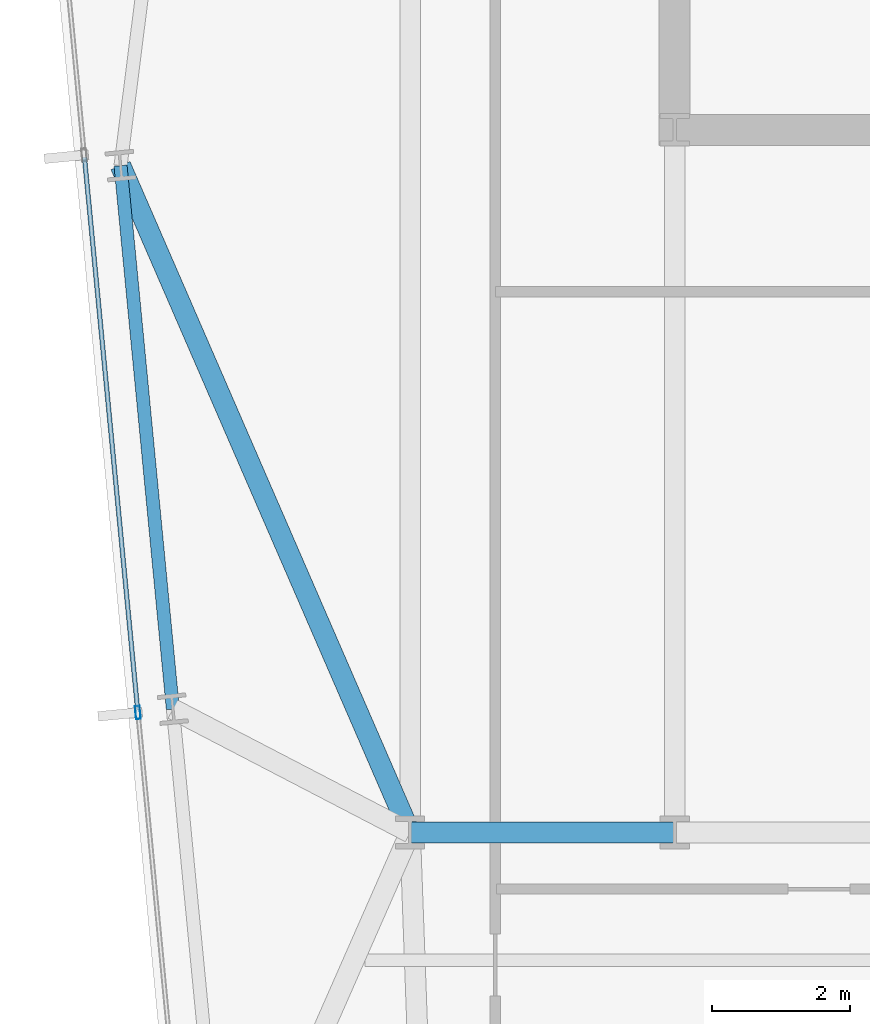
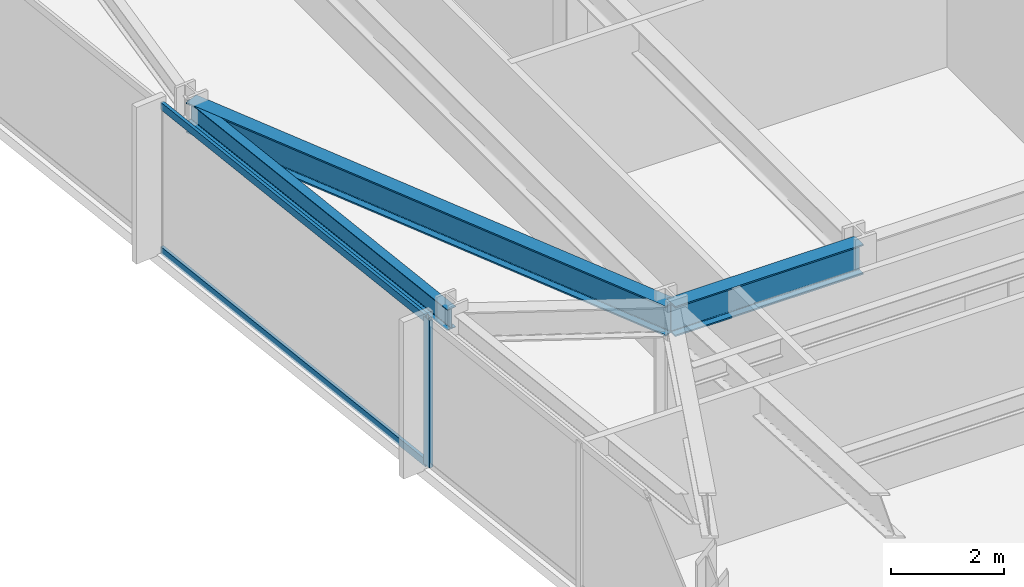
# One storey, part 6 of 32: 3 beams, 3 members, 1 element without a shape of its own.
"""IFC4 building model written with IfcOpenShell, lengths in metres."""

from ifc_helpers import new_model, si_unit, direction, frame, origin, origin_2d, place, context, subcontext, project, spatial, hollow_rectangle, i_section, extrude, material, material_profile, profile_set, type_object, element, aggregate, save


model = new_model("IFC4")

# Units and contexts
model_context = context("Model", 3, precision=1e-05, world=origin(), true_north=direction((0.0, 1.0)))
body_context = subcontext(model_context, "Body", "Model", "MODEL_VIEW")
ifc_project = project(units=[si_unit("LENGTHUNIT", "METRE"), si_unit("AREAUNIT", "SQUARE_METRE"), si_unit("VOLUMEUNIT", "CUBIC_METRE"), si_unit("PLANEANGLEUNIT", "RADIAN"), si_unit("MASSUNIT", "GRAM", prefix="KILO")], contexts=[model_context])

# Site, building, storey
site_placement = place(None, origin())
site = spatial("IfcSite", under=ifc_project, at=site_placement, CompositionType="ELEMENT")
building_placement = place(site_placement, origin())
building = spatial("IfcBuilding", under=site, at=building_placement, Name="Yelkora Congress Tower", CompositionType="ELEMENT")
storey_placement = place(building_placement, frame((0.0, 0.0, 103.300048828125)))
storey = spatial("IfcBuildingStorey", under=building, at=storey_placement, Name="L27", CompositionType="ELEMENT", Elevation=103.300048828125)

# Beams
ifc_material_1 = material(Name="Steel S355J2", Category="steel")
ifc_material_profile_1 = material_profile(ifc_material_1, i_section(OverallWidth=0.300048828125, OverallDepth=0.64990234375, WebThickness=0.01611328125, FlangeThickness=0.031005859375, FilletRadius=0.027099609375, at=origin_2d()), Name="HEB 650")
ifc_profile_set_1 = profile_set([ifc_material_profile_1], Name="Steel S355J2")
beam_type_1 = type_object("IfcBeamType", Name="BM-GIRD-HEB650", PredefinedType="BEAM", material=ifc_profile_set_1)
beam_1_placement = place(storey_placement, frame((19.199951171875, 25.199951171875, 2.85498046875), z_axis=(1.0, 0.0, 0.0), x_axis=(0.0, 1.0, 0.0)))
element("IfcBeam", 1, at=beam_1_placement, inside=storey, type_object=beam_type_1, Name="L27 Spine Grid D Girder 1", PredefinedType="BEAM", context=body_context, shape_type="SweptSolid", body=[
    extrude(i_section(OverallWidth=0.300048828125, OverallDepth=0.64990234375, WebThickness=0.01611328125, FlangeThickness=0.031005859375, FilletRadius=0.027099609375, at=origin_2d()), origin(), (0.0, 0.0, 1.0), 3.840087890625),
])
beam_2_placement = place(storey_placement, frame((14.997314453125, 34.87890625, 2.85498046875), z_axis=(0.398279362914, -0.917264165373, 0.0), x_axis=(0.917264165373, 0.398279362914, 0.0)))
element("IfcBeam", 2, at=beam_2_placement, inside=storey, type_object=beam_type_1, Name="L27 Primary Frame Girder W03", PredefinedType="BEAM", context=body_context, shape_type="SweptSolid", body=[
    extrude(i_section(OverallWidth=0.300048828125, OverallDepth=0.64990234375, WebThickness=0.01611328125, FlangeThickness=0.031005859375, FilletRadius=0.027099609375, at=origin_2d()), origin(), (0.0, 0.0, 1.0), 10.552001953125),
])
ifc_material_profile_2 = material_profile(ifc_material_1, i_section(OverallWidth=0.18994140625, OverallDepth=0.449951171875, WebThickness=0.009521484375, FlangeThickness=0.0146484375, FilletRadius=0.02099609375, at=origin_2d()), Name="IPE 450")
ifc_profile_set_2 = profile_set([ifc_material_profile_2], Name="Steel S355J2")
beam_type_2 = type_object("IfcBeamType", Name="BM-SPAN-IPE450", PredefinedType="SPANDREL", material=ifc_profile_set_2)
beam_3_placement = place(storey_placement, frame((14.997314453125, 34.87890625, 2.954833984375), z_axis=(0.095870310714, -0.995393833376, 0.0), x_axis=(0.995393833376, 0.095870310714, 0.0)))
element("IfcBeam", 3, at=beam_3_placement, inside=storey, type_object=beam_type_2, Name="L27 Perimeter Beam 19", PredefinedType="SPANDREL", context=body_context, shape_type="SweptSolid", body=[
    extrude(i_section(OverallWidth=0.18994140625, OverallDepth=0.449951171875, WebThickness=0.009521484375, FlangeThickness=0.0146484375, FilletRadius=0.02099609375, at=origin_2d()), origin(), (0.0, 0.0, 1.0), 7.925048828125),
])

# Curtain wall, members
ifc_material_2 = material(Name="Anodised aluminium and insulated glass", Category="aluminium")
curtain_wall_type = type_object("IfcCurtainWallType", Name="CW-SYS-B2", PredefinedType="NOTDEFINED", material=ifc_material_2)
curtain_wall_placement = place(storey_placement, origin())
curtain_wall = element("IfcCurtainWall", 4, at=curtain_wall_placement, inside=storey, type_object=curtain_wall_type, Name="L27 Unitised Curtain Wall 5", PredefinedType="NOTDEFINED")
ifc_material_3 = material(Name="Anodised aluminium 6063-T6", Category="aluminium")
ifc_material_profile_3 = material_profile(ifc_material_3, hollow_rectangle(XDim=0.070068359375, YDim=0.18994140625, WallThickness=0.00390625, at=origin_2d()), Name="ALU 70x190x4")
ifc_profile_set_3 = profile_set([ifc_material_profile_3], Name="Anodised aluminium 6063-T6")
member_type_1 = type_object("IfcMemberType", Name="MEM-ML-B2", PredefinedType="MULLION", material=ifc_profile_set_3)
member_1_placement = place(storey_placement, frame((15.249267578125, 26.941650390625, 0.0), z_axis=(0.0, 0.0, 1.0), x_axis=(-0.995396507508, -0.095842541913, 0.0)))
member_1 = element("IfcMember", 5, at=member_1_placement, type_object=member_type_1, Name="CW-B2 mullion 3", PredefinedType="MULLION", context=body_context, shape_type="SweptSolid", body=[
    extrude(hollow_rectangle(XDim=0.070068359375, YDim=0.18994140625, WallThickness=0.00390625, at=origin_2d()), origin(), (0.0, 0.0, 1.0), 3.179931640625),
])
ifc_material_profile_4 = material_profile(ifc_material_3, hollow_rectangle(XDim=0.06494140625, YDim=0.159912109375, WallThickness=0.00390625, at=origin_2d()), Name="ALU 65x160x4")
ifc_profile_set_4 = profile_set([ifc_material_profile_4], Name="Anodised aluminium 6063-T6")
member_type_2 = type_object("IfcMemberType", Name="MEM-TR-B2", PredefinedType="USERDEFINED", material=ifc_profile_set_4)
member_2_placement = place(storey_placement, frame((15.245849609375, 26.976318359375, 0.032470703125), z_axis=(-0.095838228465, 0.995396922823, 0.0), x_axis=(-0.995396922823, -0.095838228465, 0.0)))
member_2 = element("IfcMember", 6, at=member_2_placement, type_object=member_type_2, Name="CW-B2 transom 3.1", ObjectType="TRANSOM", PredefinedType="USERDEFINED", context=body_context, shape_type="SweptSolid", body=[
    extrude(hollow_rectangle(XDim=0.06494140625, YDim=0.159912109375, WallThickness=0.00390625, at=origin_2d()), origin(), (0.0, 0.0, 1.0), 8.06005859375),
])
member_3_placement = place(storey_placement, frame((15.245849609375, 26.976318359375, 3.1474609375), z_axis=(-0.095838228465, 0.995396922823, 0.0), x_axis=(-0.995396922823, -0.095838228465, 0.0)))
member_3 = element("IfcMember", 7, at=member_3_placement, type_object=member_type_2, Name="CW-B2 transom 3.2", ObjectType="TRANSOM", PredefinedType="USERDEFINED", context=body_context, shape_type="SweptSolid", body=[
    extrude(hollow_rectangle(XDim=0.06494140625, YDim=0.159912109375, WallThickness=0.00390625, at=origin_2d()), origin(), (0.0, 0.0, 1.0), 8.06005859375),
])
aggregate(curtain_wall, [member_1, member_2, member_3])

save(model, "model.ifc")
